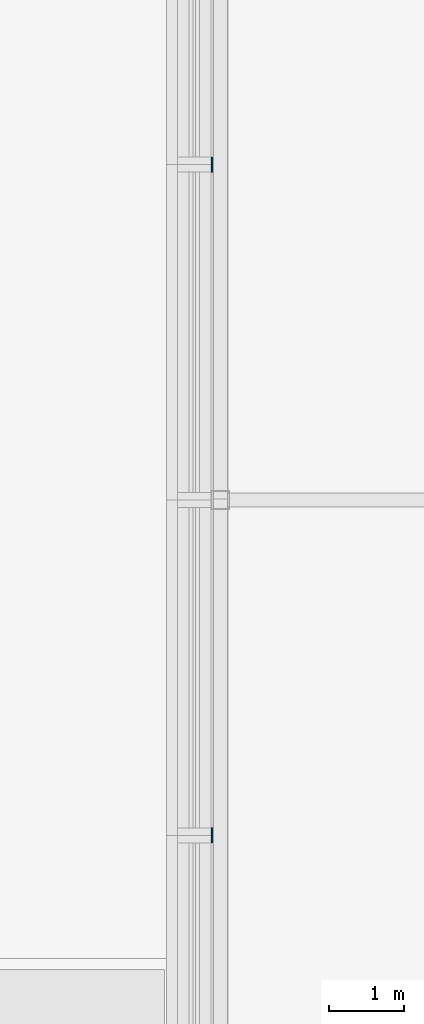
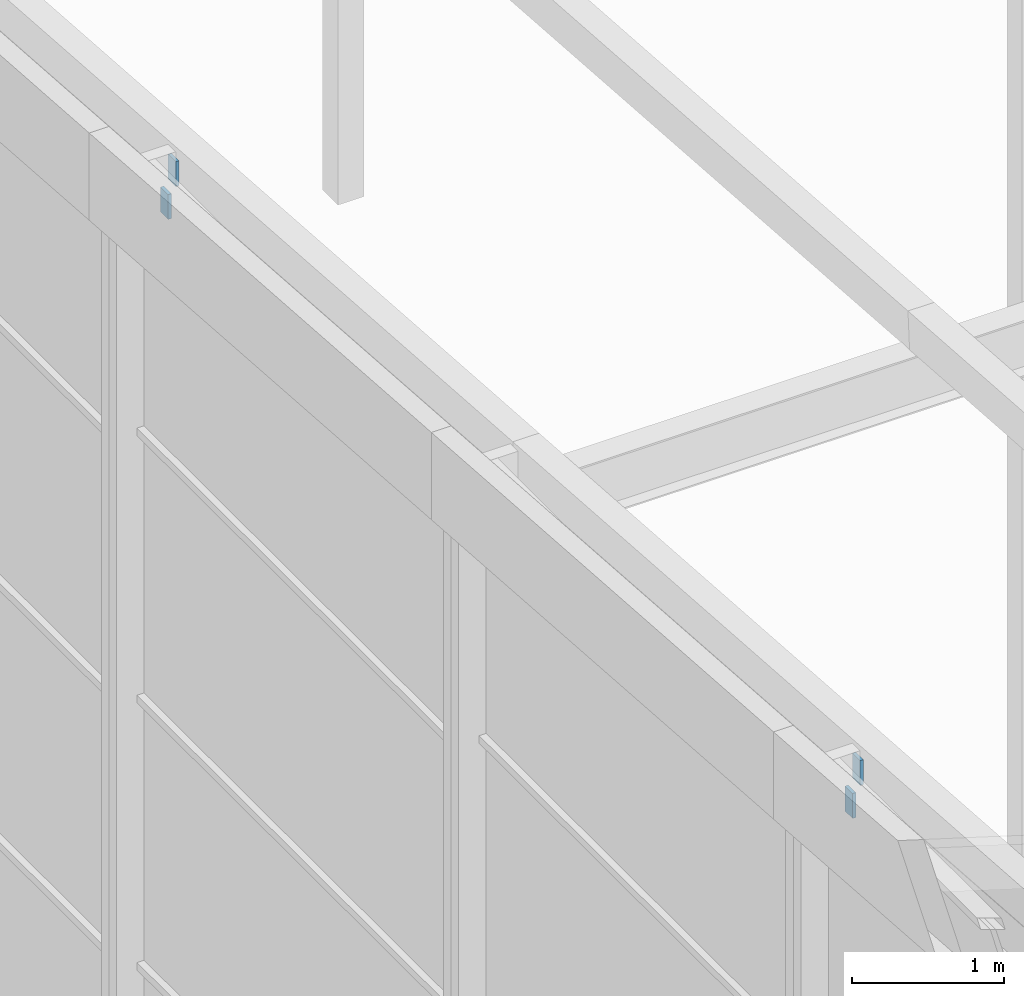
# One storey, part 72 of 84: 4 discrete accessories.
"""IFC4 building model written with IfcOpenShell, lengths in metres."""

from ifc_helpers import new_model, si_unit, direction, frame, origin, origin_2d, place, context, subcontext, project, spatial, rectangle, extrude, material, type_object, element, save


model = new_model("IFC4")

# Units and contexts
model_context = context("Model", 3, precision=1e-05, world=origin(), true_north=direction((0.0, 1.0)))
body_context = subcontext(model_context, "Body", "Model", "MODEL_VIEW")
ifc_project = project(units=[si_unit("LENGTHUNIT", "METRE"), si_unit("AREAUNIT", "SQUARE_METRE"), si_unit("VOLUMEUNIT", "CUBIC_METRE"), si_unit("PLANEANGLEUNIT", "RADIAN"), si_unit("MASSUNIT", "GRAM", prefix="KILO")], contexts=[model_context])

# Site, building, storey
site_placement = place(None, origin())
site = spatial("IfcSite", under=ifc_project, at=site_placement, CompositionType="ELEMENT")
building_placement = place(site_placement, origin())
building = spatial("IfcBuilding", under=site, at=building_placement, Name="Silverbay Arena", CompositionType="ELEMENT")
storey_placement = place(building_placement, frame((0.0, 0.0, 47.10009765625)))
storey = spatial("IfcBuildingStorey", under=building, at=storey_placement, Name="ROOF", CompositionType="ELEMENT", Elevation=47.10009765625)

# Discrete accessories
ifc_material = material(Name="Steel S355", Category="steel")
discrete_accessory_type = type_object("IfcDiscreteAccessoryType", Name="Steel bracket plate", PredefinedType="BRACKET", material=ifc_material)
for number, where, z_axis, x_axis, name in (
    (1, (80.887451171875, 94.449951171875, 11.544921875), (0.0, 0.0, 1.0), (1.0, 0.0, 0.0), "Curtain wall packing plate"),
    (2, (80.887451171875, 94.550048828125, 11.2197265625), (0.0, 0.0, 1.0), (1.0, 0.0, 0.0), "Curtain wall packing plate"),
    (3, (80.887451171875, 103.449951171875, 10.89501953125), (0.0, 0.0, 1.0), (1.0, 0.0, 0.0), "Curtain wall packing plate"),
    (4, (80.887451171875, 103.550048828125, 10.56982421875), (0.0, 0.0, 1.0), (1.0, 0.0, 0.0), "Curtain wall packing plate"),
):
    element("IfcDiscreteAccessory", number, at=place(storey_placement, frame(where, z_axis=z_axis, x_axis=x_axis)), inside=storey, type_object=discrete_accessory_type, Name=name, PredefinedType="BRACKET", context=body_context, shape_type="SweptSolid", body=[
        extrude(rectangle(XDim=0.02490234375, YDim=0.10009765625, at=origin_2d()), origin(), (0.0, 0.0, 1.0), 0.199951171875),
    ])

save(model, "model.ifc")
